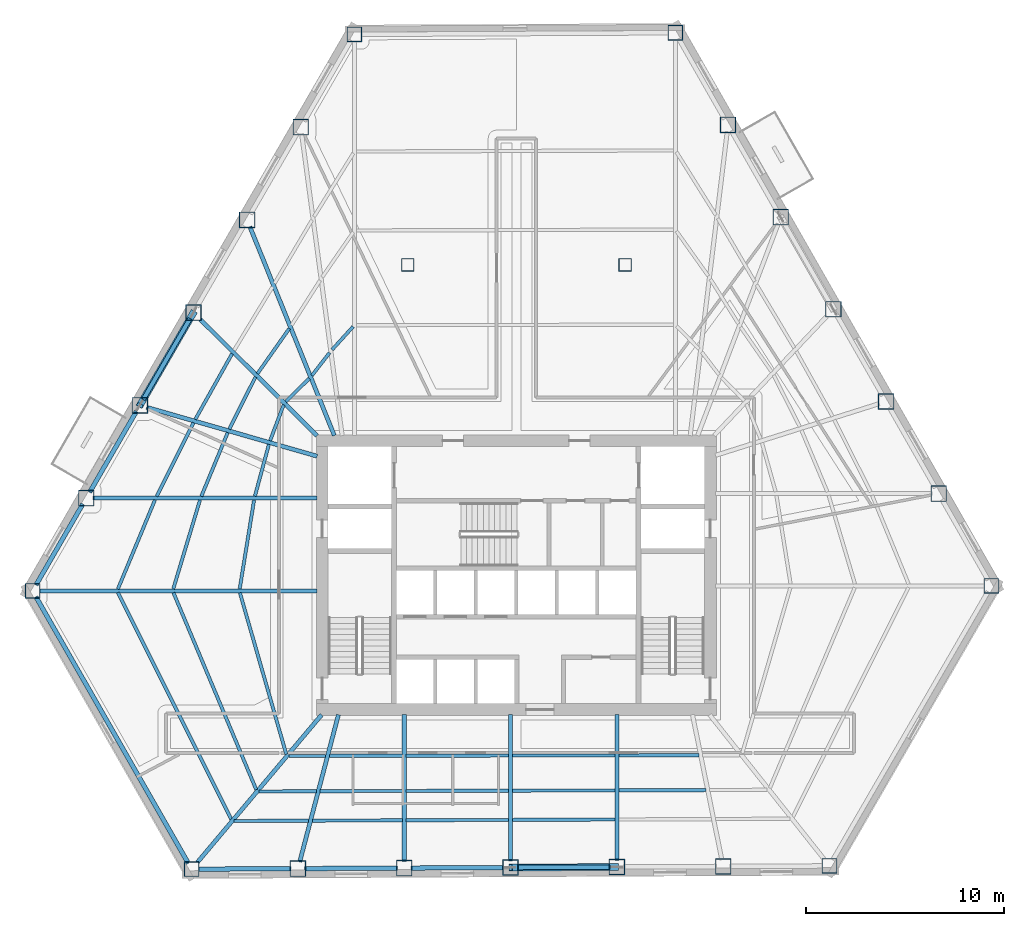
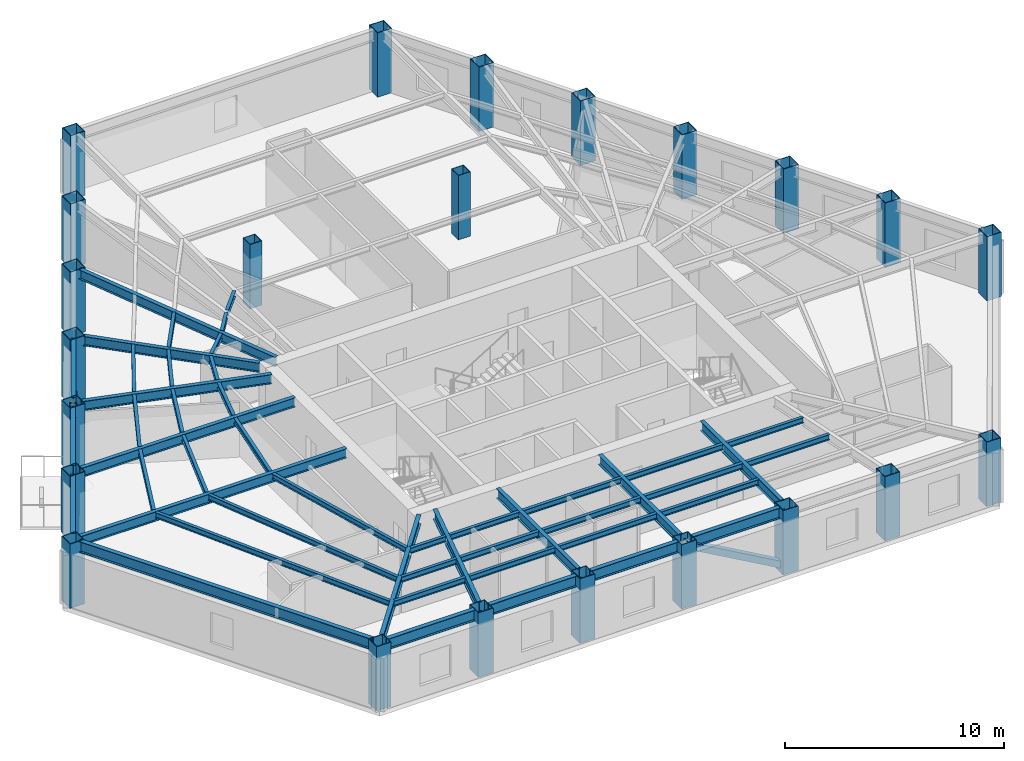
# One storey, part 1 of 11: 48 beams, 23 columns, 2 members.
"""IFC4 building model written with IfcOpenShell, lengths in metres."""

from ifc_helpers import new_model, si_unit, direction, frame, origin, origin_2d, place, context, subcontext, project, spatial, hollow_rectangle, i_section, extrude, material, material_profile, profile_set, type_object, element, save


model = new_model("IFC4")

# Units and contexts
model_context = context("Model", 3, precision=1e-05, world=origin(), true_north=direction((0.0, 1.0)))
body_context = subcontext(model_context, "Body", "Model", "MODEL_VIEW")
ifc_project = project(units=[si_unit("LENGTHUNIT", "METRE"), si_unit("AREAUNIT", "SQUARE_METRE"), si_unit("VOLUMEUNIT", "CUBIC_METRE"), si_unit("PLANEANGLEUNIT", "RADIAN"), si_unit("MASSUNIT", "GRAM", prefix="KILO")], contexts=[model_context])

# Site, building, storey
site_placement = place(None, origin())
site = spatial("IfcSite", under=ifc_project, at=site_placement, CompositionType="ELEMENT")
building_placement = place(site_placement, origin())
building = spatial("IfcBuilding", under=site, at=building_placement, Name="Kavelnor Concourse Tower", CompositionType="ELEMENT")
storey_placement = place(building_placement, frame((0.0, 0.0, 9.85009765625)))
storey = spatial("IfcBuildingStorey", under=building, at=storey_placement, Name="L02", CompositionType="ELEMENT", Elevation=9.85009765625)

# Columns
ifc_material = material(Name="Steel Grade 350", Category="steel")
ifc_material_profile_1 = material_profile(ifc_material, hollow_rectangle(XDim=0.760009765625, YDim=0.760009765625, WallThickness=0.034912109375, at=origin_2d()), Name="SHS 760x760x35")
ifc_profile_set_1 = profile_set([ifc_material_profile_1], Name="Steel Grade 350")
column_type_1 = type_object("IfcColumnType", Name="COL-FOLD-Z1", PredefinedType="COLUMN", material=ifc_profile_set_1)
for number, where, z_axis, x_axis, name in (
    (1, (29.803466796875, 43.468505859375, 0.0), (0.0, 0.0, 1.0), (1.0, 0.0, 0.0), "L02 Perimeter Corner-Fold Column F0-B0"),
    (2, (13.515625, 15.3037109375, 0.0), (0.0, 0.0, 1.0), (1.0, 0.0, 0.0), "L02 Perimeter Corner-Fold Column F0-B6"),
    (3, (21.565185546875, 1.218994140625, 0.0), (0.0, 0.0, 1.0), (1.0, 0.0, 0.0), "L02 Perimeter Corner-Fold Column F1-B0"),
    (4, (53.8466796875, 1.384033203125, 0.0), (0.0, 0.0, 1.0), (1.0, 0.0, 0.0), "L02 Perimeter Corner-Fold Column F1-B6"),
    (5, (62.044921875, 15.560302734375, 0.0), (0.0, 0.0, 1.0), (1.0, 0.0, 0.0), "L02 Perimeter Corner-Fold Column F2-B0"),
    (6, (46.047607421875, 43.5517578125, 0.0), (0.0, 0.0, 1.0), (1.0, 0.0, 0.0), "L02 Perimeter Corner-Fold Column F2-B6"),
):
    element("IfcColumn", number, at=place(storey_placement, frame(where, z_axis=z_axis, x_axis=x_axis)), inside=storey, type_object=column_type_1, Name=name, PredefinedType="COLUMN", context=body_context, shape_type="SweptSolid", body=[
        extrude(hollow_rectangle(XDim=0.760009765625, YDim=0.760009765625, WallThickness=0.034912109375, at=origin_2d()), origin(), (0.0, 0.0, 1.0), 3.58984375),
    ])
ifc_material_profile_2 = material_profile(ifc_material, hollow_rectangle(XDim=0.800048828125, YDim=0.800048828125, WallThickness=0.035888671875, at=origin_2d()), Name="SHS 800x800x36")
ifc_profile_set_2 = profile_set([ifc_material_profile_2], Name="Steel Grade 350")
column_type_2 = type_object("IfcColumnType", Name="COL-TUBE-Z1", PredefinedType="COLUMN", material=ifc_profile_set_2)
for number, where, z_axis, x_axis, name in (
    (7, (27.0888671875, 38.7744140625, 0.0), (0.0, 0.0, 1.0), (1.0, 0.0, 0.0), "L02 Perimeter Framed-Tube Column F0-B1"),
    (8, (24.374267578125, 34.080322265625, 0.0), (0.0, 0.0, 1.0), (1.0, 0.0, 0.0), "L02 Perimeter Framed-Tube Column F0-B2"),
    (9, (21.659423828125, 29.38623046875, 0.0), (0.0, 0.0, 1.0), (1.0, 0.0, 0.0), "L02 Perimeter Framed-Tube Column F0-B3"),
    (10, (18.94482421875, 24.69189453125, 0.0), (0.0, 0.0, 1.0), (1.0, 0.0, 0.0), "L02 Perimeter Framed-Tube Column F0-B4"),
    (11, (16.230224609375, 19.997802734375, 0.0), (0.0, 0.0, 1.0), (1.0, 0.0, 0.0), "L02 Perimeter Framed-Tube Column F0-B5"),
    (12, (26.9453125, 1.24658203125, 0.0), (0.0, 0.0, 1.0), (1.0, 0.0, 0.0), "L02 Perimeter Framed-Tube Column F1-B1"),
    (13, (32.32568359375, 1.27392578125, 0.0), (0.0, 0.0, 1.0), (1.0, 0.0, 0.0), "L02 Perimeter Framed-Tube Column F1-B2"),
    (14, (37.7060546875, 1.301513671875, 0.0), (0.0, 0.0, 1.0), (1.0, 0.0, 0.0), "L02 Perimeter Framed-Tube Column F1-B3"),
    (15, (43.086181640625, 1.3291015625, 0.0), (0.0, 0.0, 1.0), (1.0, 0.0, 0.0), "L02 Perimeter Framed-Tube Column F1-B4"),
    (16, (48.466552734375, 1.3564453125, 0.0), (0.0, 0.0, 1.0), (1.0, 0.0, 0.0), "L02 Perimeter Framed-Tube Column F1-B5"),
    (17, (59.378662109375, 20.225341796875, 0.0), (0.0, 0.0, 1.0), (1.0, 0.0, 0.0), "L02 Perimeter Framed-Tube Column F2-B1"),
    (18, (56.71240234375, 24.890625, 0.0), (0.0, 0.0, 1.0), (1.0, 0.0, 0.0), "L02 Perimeter Framed-Tube Column F2-B2"),
    (19, (54.04638671875, 29.555908203125, 0.0), (0.0, 0.0, 1.0), (1.0, 0.0, 0.0), "L02 Perimeter Framed-Tube Column F2-B3"),
    (20, (51.380126953125, 34.22119140625, 0.0), (0.0, 0.0, 1.0), (1.0, 0.0, 0.0), "L02 Perimeter Framed-Tube Column F2-B4"),
    (21, (48.7138671875, 38.886474609375, 0.0), (0.0, 0.0, 1.0), (1.0, 0.0, 0.0), "L02 Perimeter Framed-Tube Column F2-B5"),
):
    element("IfcColumn", number, at=place(storey_placement, frame(where, z_axis=z_axis, x_axis=x_axis)), inside=storey, type_object=column_type_2, Name=name, PredefinedType="COLUMN", context=body_context, shape_type="SweptSolid", body=[
        extrude(hollow_rectangle(XDim=0.800048828125, YDim=0.800048828125, WallThickness=0.035888671875, at=origin_2d()), origin(), (0.0, 0.0, 1.0), 3.58984375),
    ])
ifc_material_profile_3 = material_profile(ifc_material, hollow_rectangle(XDim=0.639892578125, YDim=0.639892578125, WallThickness=0.028076171875, at=origin_2d()), Name="SHS 640x640x28")
ifc_profile_set_3 = profile_set([ifc_material_profile_3], Name="Steel Grade 350")
column_type_3 = type_object("IfcColumnType", Name="COL-TUBE-Z3", PredefinedType="COLUMN", material=ifc_profile_set_3)
for number, where, z_axis, x_axis, name in (
    (22, (32.5, 31.800048828125, 0.0), (0.0, 0.0, 1.0), (1.0, 0.0, 0.0), "L02 North Interior Gravity Column BC-NW"),
    (23, (43.5, 31.800048828125, 0.0), (0.0, 0.0, 1.0), (1.0, 0.0, 0.0), "L02 North Interior Gravity Column BC-NE"),
):
    element("IfcColumn", number, at=place(storey_placement, frame(where, z_axis=z_axis, x_axis=x_axis)), inside=storey, type_object=column_type_3, Name=name, PredefinedType="COLUMN", context=body_context, shape_type="SweptSolid", body=[
        extrude(hollow_rectangle(XDim=0.639892578125, YDim=0.639892578125, WallThickness=0.028076171875, at=origin_2d()), origin(), (0.0, 0.0, 1.0), 3.58984375),
    ])

# Beams
ifc_material_profile_4 = material_profile(ifc_material, i_section(OverallWidth=0.166015625, OverallDepth=0.306884765625, WebThickness=0.006591796875, FlangeThickness=0.01171875, at=origin_2d()), Name="310UB46")
ifc_profile_set_4 = profile_set([ifc_material_profile_4], Name="Steel Grade 350")
beam_type_1 = type_object("IfcBeamType", Name="BM-JOIST-310", PredefinedType="JOIST", material=ifc_profile_set_4)
beam_1_placement = place(storey_placement, frame((24.00927734375, 15.208984375, 3.4365234375), z_axis=(0.275998795407, -0.961157981257, 0.0), x_axis=(0.961157981257, 0.275998795407, 0.0)))
element("IfcBeam", 24, at=beam_1_placement, inside=storey, type_object=beam_type_1, Name="L02 Secondary Composite Joist 01-1", PredefinedType="JOIST", context=body_context, shape_type="SweptSolid", body=[
    extrude(i_section(OverallWidth=0.166015625, OverallDepth=0.306884765625, WebThickness=0.006591796875, FlangeThickness=0.01171875, at=origin_2d()), origin(), (0.0, 0.0, 1.0), 8.50341796875),
])
beam_2_placement = place(storey_placement, frame((20.644775390625, 15.212890625, 3.4365234375), z_axis=(0.387568588235, -0.921840869897, 0.0), x_axis=(0.921840869897, 0.387568588235, 0.0)))
element("IfcBeam", 25, at=beam_2_placement, inside=storey, type_object=beam_type_1, Name="L02 Secondary Composite Joist 01-2", PredefinedType="JOIST", context=body_context, shape_type="SweptSolid", body=[
    extrude(i_section(OverallWidth=0.166015625, OverallDepth=0.306884765625, WebThickness=0.006591796875, FlangeThickness=0.01171875, at=origin_2d()), origin(), (0.0, 0.0, 1.0), 10.817138671875),
])
beam_3_placement = place(storey_placement, frame((17.837646484375, 15.215576171875, 3.4365234375), z_axis=(0.447350656708, -0.894358647268, 0.0), x_axis=(0.894358647268, 0.447350656708, 0.0)))
element("IfcBeam", 26, at=beam_3_placement, inside=storey, type_object=beam_type_1, Name="L02 Secondary Composite Joist 01-3", PredefinedType="JOIST", context=body_context, shape_type="SweptSolid", body=[
    extrude(i_section(OverallWidth=0.166015625, OverallDepth=0.306884765625, WebThickness=0.006591796875, FlangeThickness=0.01171875, at=origin_2d()), origin(), (0.0, 0.0, 1.0), 12.824462890625),
])
beam_4_placement = place(storey_placement, frame((26.481689453125, 6.941650390625, 3.4365234375), z_axis=(0.999984909495, 0.005493703885, 0.0), x_axis=(-0.005493703885, 0.999984909495, 0.0)))
element("IfcBeam", 27, at=beam_4_placement, inside=storey, type_object=beam_type_1, Name="L02 Secondary Composite Joist 02-1", PredefinedType="JOIST", context=body_context, shape_type="SweptSolid", body=[
    extrude(i_section(OverallWidth=0.166015625, OverallDepth=0.306884765625, WebThickness=0.006591796875, FlangeThickness=0.01171875, at=origin_2d()), origin(), (0.0, 0.0, 1.0), 1.866455078125),
])
beam_5_placement = place(storey_placement, frame((24.973876953125, 5.150634765625, 3.4365234375), z_axis=(0.999989693886, 0.004540057463, 0.0), x_axis=(-0.004540057463, 0.999989693886, 0.0)))
element("IfcBeam", 28, at=beam_5_placement, inside=storey, type_object=beam_type_1, Name="L02 Secondary Composite Joist 02-2", PredefinedType="JOIST", context=body_context, shape_type="SweptSolid", body=[
    extrude(i_section(OverallWidth=0.166015625, OverallDepth=0.306884765625, WebThickness=0.006591796875, FlangeThickness=0.01171875, at=origin_2d()), origin(), (0.0, 0.0, 1.0), 2.90380859375),
])
beam_6_placement = place(storey_placement, frame((23.71728515625, 3.658203125, 3.4365234375), z_axis=(0.999991670242, 0.004081598654, 0.0), x_axis=(-0.004081598654, 0.999991670242, 0.0)))
element("IfcBeam", 29, at=beam_6_placement, inside=storey, type_object=beam_type_1, Name="L02 Secondary Composite Joist 02-3", PredefinedType="JOIST", context=body_context, shape_type="SweptSolid", body=[
    extrude(i_section(OverallWidth=0.166015625, OverallDepth=0.306884765625, WebThickness=0.006591796875, FlangeThickness=0.01171875, at=origin_2d()), origin(), (0.0, 0.0, 1.0), 3.768310546875),
])
beam_7_placement = place(storey_placement, frame((28.545166015625, 6.95263671875, 3.4365234375), z_axis=(0.999997749129, 0.002121729742, 0.0), x_axis=(-0.002121729742, 0.999997749129, 0.0)))
element("IfcBeam", 30, at=beam_7_placement, inside=storey, type_object=beam_type_1, Name="L02 Secondary Composite Joist 03-1", PredefinedType="JOIST", context=body_context, shape_type="SweptSolid", body=[
    extrude(i_section(OverallWidth=0.166015625, OverallDepth=0.306884765625, WebThickness=0.006591796875, FlangeThickness=0.01171875, at=origin_2d()), origin(), (0.0, 0.0, 1.0), 3.68212890625),
])
beam_8_placement = place(storey_placement, frame((28.07470703125, 5.16455078125, 3.4365234375), z_axis=(0.999994580179, 0.003292356781, 0.0), x_axis=(-0.003292356781, 0.999994580179, 0.0)))
element("IfcBeam", 31, at=beam_8_placement, inside=storey, type_object=beam_type_1, Name="L02 Secondary Composite Joist 03-2", PredefinedType="JOIST", context=body_context, shape_type="SweptSolid", body=[
    extrude(i_section(OverallWidth=0.166015625, OverallDepth=0.306884765625, WebThickness=0.006591796875, FlangeThickness=0.01171875, at=origin_2d()), origin(), (0.0, 0.0, 1.0), 4.152587890625),
])
beam_9_placement = place(storey_placement, frame((27.6826171875, 3.674560546875, 3.4365234375), z_axis=(0.999991883643, 0.004028976163, 0.0), x_axis=(-0.004028976163, 0.999991883643, 0.0)))
element("IfcBeam", 32, at=beam_9_placement, inside=storey, type_object=beam_type_1, Name="L02 Secondary Composite Joist 03-3", PredefinedType="JOIST", context=body_context, shape_type="SweptSolid", body=[
    extrude(i_section(OverallWidth=0.166015625, OverallDepth=0.306884765625, WebThickness=0.006591796875, FlangeThickness=0.01171875, at=origin_2d()), origin(), (0.0, 0.0, 1.0), 4.544677734375),
])
for number, where, z_axis, x_axis, name in (
    (33, (32.42431640625, 6.9609375, 3.4365234375), (0.999999001583, 0.001413093266, 0.0), (-0.001413093266, 0.999999001583, 0.0), "L02 Secondary Composite Joist 04-1"),
    (34, (32.42431640625, 5.1787109375, 3.4365234375), (0.999996521085, 0.002637767554, 0.0), (-0.002637767554, 0.999996521085, 0.0), "L02 Secondary Composite Joist 04-2"),
    (35, (32.42431640625, 3.693603515625, 3.4365234375), (0.999993250761, 0.003674021364, 0.0), (-0.003674021364, 0.999993250761, 0.0), "L02 Secondary Composite Joist 04-3"),
):
    element("IfcBeam", number, at=place(storey_placement, frame(where, z_axis=z_axis, x_axis=x_axis)), inside=storey, type_object=beam_type_1, Name=name, PredefinedType="JOIST", context=body_context, shape_type="SweptSolid", body=[
        extrude(i_section(OverallWidth=0.166015625, OverallDepth=0.306884765625, WebThickness=0.006591796875, FlangeThickness=0.01171875, at=origin_2d()), origin(), (0.0, 0.0, 1.0), 5.18310546875),
    ])
for number, where, z_axis, x_axis, name in (
    (36, (37.804443359375, 6.968505859375, 3.4365234375), (0.999998934013, 0.0014601275, 0.0), (-0.0014601275, 0.999998934013, 0.0), "L02 Secondary Composite Joist 05-1"),
    (37, (37.804443359375, 5.193115234375, 3.4365234375), (0.999996521413, 0.002637643314, 0.0), (-0.002637643314, 0.999996521413, 0.0), "L02 Secondary Composite Joist 05-2"),
    (38, (37.804443359375, 3.71337890625, 3.4365234375), (0.999993251397, 0.003673848317, 0.0), (-0.003673848317, 0.999993251397, 0.0), "L02 Secondary Composite Joist 05-3"),
):
    element("IfcBeam", number, at=place(storey_placement, frame(where, z_axis=z_axis, x_axis=x_axis)), inside=storey, type_object=beam_type_1, Name=name, PredefinedType="JOIST", context=body_context, shape_type="SweptSolid", body=[
        extrude(i_section(OverallWidth=0.166015625, OverallDepth=0.306884765625, WebThickness=0.006591796875, FlangeThickness=0.01171875, at=origin_2d()), origin(), (0.0, 0.0, 1.0), 5.183349609375),
    ])
beam_10_placement = place(storey_placement, frame((43.184814453125, 6.976318359375, 3.4365234375), z_axis=(0.999998469598, 0.001749514697, 0.0), x_axis=(-0.001749514697, 0.999998469598, 0.0)))
element("IfcBeam", 39, at=beam_10_placement, inside=storey, type_object=beam_type_1, Name="L02 Secondary Composite Joist 06-1", PredefinedType="JOIST", context=body_context, shape_type="SweptSolid", body=[
    extrude(i_section(OverallWidth=0.166015625, OverallDepth=0.306884765625, WebThickness=0.006591796875, FlangeThickness=0.01171875, at=origin_2d()), origin(), (0.0, 0.0, 1.0), 4.046875),
])
beam_11_placement = place(storey_placement, frame((43.184814453125, 5.20751953125, 3.4365234375), z_axis=(0.999995178225, 0.003105402871, 0.0), x_axis=(-0.003105402871, 0.999995178225, 0.0)))
element("IfcBeam", 40, at=beam_11_placement, inside=storey, type_object=beam_type_1, Name="L02 Secondary Composite Joist 06-2", PredefinedType="JOIST", context=body_context, shape_type="SweptSolid", body=[
    extrude(i_section(OverallWidth=0.166015625, OverallDepth=0.306884765625, WebThickness=0.006591796875, FlangeThickness=0.01171875, at=origin_2d()), origin(), (0.0, 0.0, 1.0), 4.402587890625),
])
beam_12_placement = place(storey_placement, frame((29.7373046875, 28.67822265625, 3.4365234375), z_axis=(-0.672249134881, -0.740324996641, 0.0), x_axis=(0.740324996641, -0.672249134881, 0.0)))
element("IfcBeam", 41, at=beam_12_placement, inside=storey, type_object=beam_type_1, Name="L02 Secondary Composite Joist 16-1", PredefinedType="JOIST", context=body_context, shape_type="SweptSolid", body=[
    extrude(i_section(OverallWidth=0.166015625, OverallDepth=0.306884765625, WebThickness=0.006591796875, FlangeThickness=0.01171875, at=origin_2d()), origin(), (0.0, 0.0, 1.0), 1.577880859375),
])
beam_13_placement = place(storey_placement, frame((28.5498046875, 27.359130859375, 3.4365234375), z_axis=(-0.613063459309, -0.790033666916, 0.0), x_axis=(0.790033666916, -0.613063459309, 0.0)))
element("IfcBeam", 42, at=beam_13_placement, inside=storey, type_object=beam_type_1, Name="L02 Secondary Composite Joist 17-1", PredefinedType="JOIST", context=body_context, shape_type="SweptSolid", body=[
    extrude(i_section(OverallWidth=0.166015625, OverallDepth=0.306884765625, WebThickness=0.006591796875, FlangeThickness=0.01171875, at=origin_2d()), origin(), (0.0, 0.0, 1.0), 1.465087890625),
])
beam_14_placement = place(storey_placement, frame((27.521240234375, 26.0546875, 3.4365234375), z_axis=(-0.712258668959, -0.701917080923, 0.0), x_axis=(0.701917080923, -0.712258668959, 0.0)))
element("IfcBeam", 43, at=beam_14_placement, inside=storey, type_object=beam_type_1, Name="L02 Secondary Composite Joist 18-1", PredefinedType="JOIST", context=body_context, shape_type="SweptSolid", body=[
    extrude(i_section(OverallWidth=0.166015625, OverallDepth=0.306884765625, WebThickness=0.006591796875, FlangeThickness=0.01171875, at=origin_2d()), origin(), (0.0, 0.0, 1.0), 1.676025390625),
])
beam_15_placement = place(storey_placement, frame((26.50830078125, 28.5810546875, 3.4365234375), z_axis=(-0.576315922708, -0.817226992477, 0.0), x_axis=(0.817226992477, -0.576315922708, 0.0)))
element("IfcBeam", 44, at=beam_15_placement, inside=storey, type_object=beam_type_1, Name="L02 Secondary Composite Joist 18-2", PredefinedType="JOIST", context=body_context, shape_type="SweptSolid", body=[
    extrude(i_section(OverallWidth=0.166015625, OverallDepth=0.306884765625, WebThickness=0.006591796875, FlangeThickness=0.01171875, at=origin_2d()), origin(), (0.0, 0.0, 1.0), 2.79296875),
])
beam_16_placement = place(storey_placement, frame((26.222412109375, 24.716796875, 3.4365234375), z_axis=(-0.353993359345, -0.935247935865, 0.0), x_axis=(0.935247935865, -0.353993359345, 0.0)))
element("IfcBeam", 45, at=beam_16_placement, inside=storey, type_object=beam_type_1, Name="L02 Secondary Composite Joist 19-1", PredefinedType="JOIST", context=body_context, shape_type="SweptSolid", body=[
    extrude(i_section(OverallWidth=0.166015625, OverallDepth=0.306884765625, WebThickness=0.006591796875, FlangeThickness=0.01171875, at=origin_2d()), origin(), (0.0, 0.0, 1.0), 1.93798828125),
])
beam_17_placement = place(storey_placement, frame((24.797607421875, 26.1298828125, 3.4365234375), z_axis=(-0.448736050446, -0.893664342486, 0.0), x_axis=(0.893664342486, -0.448736050446, 0.0)))
element("IfcBeam", 46, at=beam_17_placement, inside=storey, type_object=beam_type_1, Name="L02 Secondary Composite Joist 19-2", PredefinedType="JOIST", context=body_context, shape_type="SweptSolid", body=[
    extrude(i_section(OverallWidth=0.166015625, OverallDepth=0.306884765625, WebThickness=0.006591796875, FlangeThickness=0.01171875, at=origin_2d()), origin(), (0.0, 0.0, 1.0), 2.949462890625),
])
beam_18_placement = place(storey_placement, frame((23.6142578125, 27.306396484375, 3.4365234375), z_axis=(-0.489347360021, -0.872088964063, 0.0), x_axis=(0.872088964063, -0.489347360021, 0.0)))
element("IfcBeam", 47, at=beam_18_placement, inside=storey, type_object=beam_type_1, Name="L02 Secondary Composite Joist 19-3", PredefinedType="JOIST", context=body_context, shape_type="SweptSolid", body=[
    extrude(i_section(OverallWidth=0.166015625, OverallDepth=0.306884765625, WebThickness=0.006591796875, FlangeThickness=0.01171875, at=origin_2d()), origin(), (0.0, 0.0, 1.0), 3.80615234375),
])
beam_19_placement = place(storey_placement, frame((25.475830078125, 22.717041015625, 3.4365234375), z_axis=(-0.260585477594, -0.965450780137, 0.0), x_axis=(0.965450780137, -0.260585477594, 0.0)))
element("IfcBeam", 48, at=beam_19_placement, inside=storey, type_object=beam_type_1, Name="L02 Secondary Composite Joist 20-1", PredefinedType="JOIST", context=body_context, shape_type="SweptSolid", body=[
    extrude(i_section(OverallWidth=0.166015625, OverallDepth=0.306884765625, WebThickness=0.006591796875, FlangeThickness=0.01171875, at=origin_2d()), origin(), (0.0, 0.0, 1.0), 2.718017578125),
])
beam_20_placement = place(storey_placement, frame((23.39208984375, 23.315185546875, 3.4365234375), z_axis=(-0.382633769125, -0.923900102135, 0.0), x_axis=(0.923900102135, -0.382633769125, 0.0)))
element("IfcBeam", 49, at=beam_20_placement, inside=storey, type_object=beam_type_1, Name="L02 Secondary Composite Joist 20-2", PredefinedType="JOIST", context=body_context, shape_type="SweptSolid", body=[
    extrude(i_section(OverallWidth=0.166015625, OverallDepth=0.306884765625, WebThickness=0.006591796875, FlangeThickness=0.01171875, at=origin_2d()), origin(), (0.0, 0.0, 1.0), 3.491943359375),
])
beam_21_placement = place(storey_placement, frame((21.6591796875, 23.81298828125, 3.4365234375), z_axis=(-0.447869436745, -0.894098969706, 0.0), x_axis=(0.894098969706, -0.447869436745, 0.0)))
element("IfcBeam", 50, at=beam_21_placement, inside=storey, type_object=beam_type_1, Name="L02 Secondary Composite Joist 20-3", PredefinedType="JOIST", context=body_context, shape_type="SweptSolid", body=[
    extrude(i_section(OverallWidth=0.166015625, OverallDepth=0.306884765625, WebThickness=0.006591796875, FlangeThickness=0.01171875, at=origin_2d()), origin(), (0.0, 0.0, 1.0), 4.16845703125),
])
beam_22_placement = place(storey_placement, frame((24.726318359375, 19.900634765625, 3.4365234375), z_axis=(-0.159820093123, -0.987146158294, 0.0), x_axis=(0.987146158294, -0.159820093123, 0.0)))
element("IfcBeam", 51, at=beam_22_placement, inside=storey, type_object=beam_type_1, Name="L02 Secondary Composite Joist 21-1", PredefinedType="JOIST", context=body_context, shape_type="SweptSolid", body=[
    extrude(i_section(OverallWidth=0.166015625, OverallDepth=0.306884765625, WebThickness=0.006591796875, FlangeThickness=0.01171875, at=origin_2d()), origin(), (0.0, 0.0, 1.0), 4.558349609375),
])
beam_23_placement = place(storey_placement, frame((21.98974609375, 19.903564453125, 3.4365234375), z_axis=(-0.28794290987, -0.957647576437, 0.0), x_axis=(0.957647576437, -0.28794290987, 0.0)))
element("IfcBeam", 52, at=beam_23_placement, inside=storey, type_object=beam_type_1, Name="L02 Secondary Composite Joist 21-2", PredefinedType="JOIST", context=body_context, shape_type="SweptSolid", body=[
    extrude(i_section(OverallWidth=0.166015625, OverallDepth=0.306884765625, WebThickness=0.006591796875, FlangeThickness=0.01171875, at=origin_2d()), origin(), (0.0, 0.0, 1.0), 4.704833984375),
])
beam_24_placement = place(storey_placement, frame((19.710205078125, 19.906982421875, 3.4365234375), z_axis=(-0.384349373717, -0.923187715973, 0.0), x_axis=(0.923187715973, -0.384349373717, 0.0)))
element("IfcBeam", 53, at=beam_24_placement, inside=storey, type_object=beam_type_1, Name="L02 Secondary Composite Joist 21-3", PredefinedType="JOIST", context=body_context, shape_type="SweptSolid", body=[
    extrude(i_section(OverallWidth=0.166015625, OverallDepth=0.306884765625, WebThickness=0.006591796875, FlangeThickness=0.01171875, at=origin_2d()), origin(), (0.0, 0.0, 1.0), 4.887939453125),
])
ifc_material_profile_5 = material_profile(ifc_material, i_section(OverallWidth=0.208984375, OverallDepth=0.528076171875, WebThickness=0.009521484375, FlangeThickness=0.01318359375, at=origin_2d()), Name="530UB82")
ifc_profile_set_5 = profile_set([ifc_material_profile_5], Name="Steel Grade 350")
beam_type_2 = type_object("IfcBeamType", Name="BM-PRIMARY-530", PredefinedType="BEAM", material=ifc_profile_set_5)
beam_25_placement = place(storey_placement, frame((28.78857421875, 23.162841796875, 3.325927734375), z_axis=(-0.374853370819, 0.927084111818, 0.0), x_axis=(-0.927084111818, -0.374853370819, 0.0)))
element("IfcBeam", 54, at=beam_25_placement, inside=storey, type_object=beam_type_2, Name="L02 Primary Floor Girder F0-B2", PredefinedType="BEAM", context=body_context, shape_type="SweptSolid", body=[
    extrude(i_section(OverallWidth=0.208984375, OverallDepth=0.528076171875, WebThickness=0.009521484375, FlangeThickness=0.01318359375, at=origin_2d()), origin(), (0.0, 0.0, 1.0), 11.40625),
])
beam_26_placement = place(storey_placement, frame((27.908203125, 23.1650390625, 3.325927734375), z_axis=(-0.708660051253, 0.705550091601, 0.0), x_axis=(-0.705550091601, -0.708660051253, 0.0)))
element("IfcBeam", 55, at=beam_26_placement, inside=storey, type_object=beam_type_2, Name="L02 Primary Floor Girder F0-B3", PredefinedType="BEAM", context=body_context, shape_type="SweptSolid", body=[
    extrude(i_section(OverallWidth=0.208984375, OverallDepth=0.528076171875, WebThickness=0.009521484375, FlangeThickness=0.01318359375, at=origin_2d()), origin(), (0.0, 0.0, 1.0), 8.3212890625),
])
beam_27_placement = place(storey_placement, frame((27.91845703125, 22.119140625, 3.325927734375), z_axis=(-0.961272188063, 0.275600762802, 0.0), x_axis=(-0.275600762802, -0.961272188063, 0.0)))
element("IfcBeam", 56, at=beam_27_placement, inside=storey, type_object=beam_type_2, Name="L02 Primary Floor Girder F0-B4", PredefinedType="BEAM", context=body_context, shape_type="SweptSolid", body=[
    extrude(i_section(OverallWidth=0.208984375, OverallDepth=0.528076171875, WebThickness=0.009521484375, FlangeThickness=0.01318359375, at=origin_2d()), origin(), (0.0, 0.0, 1.0), 8.979736328125),
])
beam_28_placement = place(storey_placement, frame((27.919921875, 19.997802734375, 3.325927734375), z_axis=(-1.0, 0.0, 0.0), x_axis=(0.0, -1.0, 0.0)))
element("IfcBeam", 57, at=beam_28_placement, inside=storey, type_object=beam_type_2, Name="L02 Primary Floor Girder F0-B5", PredefinedType="BEAM", context=body_context, shape_type="SweptSolid", body=[
    extrude(i_section(OverallWidth=0.208984375, OverallDepth=0.528076171875, WebThickness=0.009521484375, FlangeThickness=0.01318359375, at=origin_2d()), origin(), (0.0, 0.0, 1.0), 11.349609375),
])
beam_29_placement = place(storey_placement, frame((27.919921875, 15.3037109375, 3.325927734375), z_axis=(-1.0, 0.0, 0.0), x_axis=(0.0, -1.0, 0.0)))
element("IfcBeam", 58, at=beam_29_placement, inside=storey, type_object=beam_type_2, Name="L02 Primary Floor Girder F0-B6", PredefinedType="BEAM", context=body_context, shape_type="SweptSolid", body=[
    extrude(i_section(OverallWidth=0.208984375, OverallDepth=0.528076171875, WebThickness=0.009521484375, FlangeThickness=0.01318359375, at=origin_2d()), origin(), (0.0, 0.0, 1.0), 14.064208984375),
])
beam_30_placement = place(storey_placement, frame((28.142578125, 9.030517578125, 3.325927734375), z_axis=(-0.644092586518, -0.76494754068, 0.0), x_axis=(0.76494754068, -0.644092586518, 0.0)))
element("IfcBeam", 59, at=beam_30_placement, inside=storey, type_object=beam_type_2, Name="L02 Primary Floor Girder F1-B0", PredefinedType="BEAM", context=body_context, shape_type="SweptSolid", body=[
    extrude(i_section(OverallWidth=0.208984375, OverallDepth=0.528076171875, WebThickness=0.009521484375, FlangeThickness=0.01318359375, at=origin_2d()), origin(), (0.0, 0.0, 1.0), 9.755126953125),
])
beam_31_placement = place(storey_placement, frame((28.99560546875, 9.038818359375, 3.325927734375), z_axis=(-0.254454304824, -0.967084798121, 0.0), x_axis=(0.967084798121, -0.254454304824, 0.0)))
element("IfcBeam", 60, at=beam_31_placement, inside=storey, type_object=beam_type_2, Name="L02 Primary Floor Girder F1-B1", PredefinedType="BEAM", context=body_context, shape_type="SweptSolid", body=[
    extrude(i_section(OverallWidth=0.208984375, OverallDepth=0.528076171875, WebThickness=0.009521484375, FlangeThickness=0.01318359375, at=origin_2d()), origin(), (0.0, 0.0, 1.0), 7.70458984375),
])
beam_32_placement = place(storey_placement, frame((32.32568359375, 9.0400390625, 3.325927734375), z_axis=(0.0, -1.0, 0.0), x_axis=(1.0, 0.0, 0.0)))
element("IfcBeam", 61, at=beam_32_placement, inside=storey, type_object=beam_type_2, Name="L02 Primary Floor Girder F1-B2", PredefinedType="BEAM", context=body_context, shape_type="SweptSolid", body=[
    extrude(i_section(OverallWidth=0.208984375, OverallDepth=0.528076171875, WebThickness=0.009521484375, FlangeThickness=0.01318359375, at=origin_2d()), origin(), (0.0, 0.0, 1.0), 7.426025390625),
])
beam_33_placement = place(storey_placement, frame((37.7060546875, 9.0400390625, 3.325927734375), z_axis=(0.0, -1.0, 0.0), x_axis=(1.0, 0.0, 0.0)))
element("IfcBeam", 62, at=beam_33_placement, inside=storey, type_object=beam_type_2, Name="L02 Primary Floor Girder F1-B3", PredefinedType="BEAM", context=body_context, shape_type="SweptSolid", body=[
    extrude(i_section(OverallWidth=0.208984375, OverallDepth=0.528076171875, WebThickness=0.009521484375, FlangeThickness=0.01318359375, at=origin_2d()), origin(), (0.0, 0.0, 1.0), 7.3984375),
])
beam_34_placement = place(storey_placement, frame((43.086181640625, 9.0400390625, 3.325927734375), z_axis=(0.0, -1.0, 0.0), x_axis=(1.0, 0.0, 0.0)))
element("IfcBeam", 63, at=beam_34_placement, inside=storey, type_object=beam_type_2, Name="L02 Primary Floor Girder F1-B4", PredefinedType="BEAM", context=body_context, shape_type="SweptSolid", body=[
    extrude(i_section(OverallWidth=0.208984375, OverallDepth=0.528076171875, WebThickness=0.009521484375, FlangeThickness=0.01318359375, at=origin_2d()), origin(), (0.0, 0.0, 1.0), 7.37109375),
])
ifc_material_profile_6 = material_profile(ifc_material, i_section(OverallWidth=0.22900390625, OverallDepth=0.612060546875, WebThickness=0.011962890625, FlangeThickness=0.01953125, at=origin_2d()), Name="610UB125")
ifc_profile_set_6 = profile_set([ifc_material_profile_6], Name="Steel Grade 350")
beam_type_3 = type_object("IfcBeamType", Name="BM-SPANDREL-Z1", PredefinedType="SPANDREL", material=ifc_profile_set_6)
beam_35_placement = place(storey_placement, frame((21.48681640625, 29.08740234375, 3.283935546875), z_axis=(-0.500621358942, -0.865666364699, 0.0), x_axis=(0.865666364699, -0.500621358942, 0.0)))
element("IfcBeam", 64, at=beam_35_placement, inside=storey, type_object=beam_type_3, Name="L02 Perimeter Tube Spandrel Beam F0-B3", PredefinedType="SPANDREL", context=body_context, shape_type="SweptSolid", body=[
    extrude(i_section(OverallWidth=0.22900390625, OverallDepth=0.612060546875, WebThickness=0.011962890625, FlangeThickness=0.01953125, at=origin_2d()), origin(), (0.0, 0.0, 1.0), 4.732421875),
])
for number, where, z_axis, x_axis, name in (
    (65, (18.772216796875, 24.393310546875, 3.283935546875), (-0.500637660254, -0.865656937323, 0.0), (0.865656937323, -0.500637660254, 0.0), "L02 Perimeter Tube Spandrel Beam F0-B4"),
    (66, (16.0576171875, 19.69921875, 3.283935546875), (-0.500637660254, -0.865656937323, 0.0), (0.865656937323, -0.500637660254, 0.0), "L02 Perimeter Tube Spandrel Beam F0-B5"),
):
    element("IfcBeam", number, at=place(storey_placement, frame(where, z_axis=z_axis, x_axis=x_axis)), inside=storey, type_object=beam_type_3, Name=name, PredefinedType="SPANDREL", context=body_context, shape_type="SweptSolid", body=[
        extrude(i_section(OverallWidth=0.22900390625, OverallDepth=0.612060546875, WebThickness=0.011962890625, FlangeThickness=0.01953125, at=origin_2d()), origin(), (0.0, 0.0, 1.0), 4.732666015625),
    ])
beam_36_placement = place(storey_placement, frame((21.91015625, 1.220703125, 3.283935546875), z_axis=(0.999986988908, 0.005101177706, 0.0), x_axis=(-0.005101177706, 0.999986988908, 0.0)))
element("IfcBeam", 67, at=beam_36_placement, inside=storey, type_object=beam_type_3, Name="L02 Perimeter Tube Spandrel Beam F1-B0", PredefinedType="SPANDREL", context=body_context, shape_type="SweptSolid", body=[
    extrude(i_section(OverallWidth=0.22900390625, OverallDepth=0.612060546875, WebThickness=0.011962890625, FlangeThickness=0.01953125, at=origin_2d()), origin(), (0.0, 0.0, 1.0), 4.690185546875),
])
for number, where, z_axis, x_axis, name in (
    (68, (27.290283203125, 1.248291015625, 3.283935546875), (0.999986990263, 0.005100912193, 0.0), (-0.005100912193, 0.999986990263, 0.0), "L02 Perimeter Tube Spandrel Beam F1-B1"),
    (69, (32.670654296875, 1.27587890625, 3.283935546875), (0.999986990263, 0.005100912193, 0.0), (-0.005100912193, 0.999986990263, 0.0), "L02 Perimeter Tube Spandrel Beam F1-B2"),
):
    element("IfcBeam", number, at=place(storey_placement, frame(where, z_axis=z_axis, x_axis=x_axis)), inside=storey, type_object=beam_type_3, Name=name, PredefinedType="SPANDREL", context=body_context, shape_type="SweptSolid", body=[
        extrude(i_section(OverallWidth=0.22900390625, OverallDepth=0.612060546875, WebThickness=0.011962890625, FlangeThickness=0.01953125, at=origin_2d()), origin(), (0.0, 0.0, 1.0), 4.6904296875),
    ])
beam_37_placement = place(storey_placement, frame((38.051025390625, 1.30322265625, 3.283935546875), z_axis=(0.999986988908, 0.005101177706, 0.0), x_axis=(-0.005101177706, 0.999986988908, 0.0)))
element("IfcBeam", 70, at=beam_37_placement, inside=storey, type_object=beam_type_3, Name="L02 Perimeter Tube Spandrel Beam F1-B3", PredefinedType="SPANDREL", context=body_context, shape_type="SweptSolid", body=[
    extrude(i_section(OverallWidth=0.22900390625, OverallDepth=0.612060546875, WebThickness=0.011962890625, FlangeThickness=0.01953125, at=origin_2d()), origin(), (0.0, 0.0, 1.0), 4.690185546875),
])
beam_38_placement = place(storey_placement, frame((13.686767578125, 15.004150390625, 3.283935546875), z_axis=(0.496186333482, -0.86821605748, 0.0), x_axis=(0.86821605748, 0.496186333482, 0.0)))
element("IfcBeam", 71, at=beam_38_placement, inside=storey, type_object=beam_type_3, Name="L02 Chamfer Facet Spandrel Beam C1", PredefinedType="SPANDREL", context=body_context, shape_type="SweptSolid", body=[
    extrude(i_section(OverallWidth=0.22900390625, OverallDepth=0.612060546875, WebThickness=0.011962890625, FlangeThickness=0.01953125, at=origin_2d()), origin(), (0.0, 0.0, 1.0), 15.532470703125),
])

# Members
ifc_material_profile_7 = material_profile(ifc_material, hollow_rectangle(XDim=0.35009765625, YDim=0.35009765625, WallThickness=0.02001953125, at=origin_2d()), Name="SHS 350x350x20")
ifc_profile_set_7 = profile_set([ifc_material_profile_7], Name="Steel Grade 350")
member_type = type_object("IfcMemberType", Name="MBR-TUBE-DIAG-Z1", PredefinedType="BRACE", material=ifc_profile_set_7)
member_1_placement = place(storey_placement, frame((21.659423828125, 29.38623046875, 0.219970703125), z_axis=(-0.435837967343, -0.753691198495, 0.491929714017), x_axis=(0.865679959405, -0.500597850459, 0.0)))
element("IfcMember", 72, at=member_1_placement, inside=storey, type_object=member_type, Name="L02 Framed-Tube Bracing Diagonal F0-B3", PredefinedType="BRACE", context=body_context, shape_type="SweptSolid", body=[
    extrude(hollow_rectangle(XDim=0.35009765625, YDim=0.35009765625, WallThickness=0.02001953125, at=origin_2d()), origin(), (0.0, 0.0, 1.0), 6.228515625),
])
member_2_placement = place(storey_placement, frame((43.086181640625, 1.3291015625, 0.219970703125), z_axis=(-0.868956717826, -0.004455783869, 0.494868031434), x_axis=(0.005127672298, -0.999986853402, 0.0)))
element("IfcMember", 73, at=member_2_placement, inside=storey, type_object=member_type, Name="L02 Framed-Tube Bracing Diagonal F1-B3", PredefinedType="BRACE", context=body_context, shape_type="SweptSolid", body=[
    extrude(hollow_rectangle(XDim=0.35009765625, YDim=0.35009765625, WallThickness=0.02001953125, at=origin_2d()), origin(), (0.0, 0.0, 1.0), 6.19140625),
])

save(model, "model.ifc")
